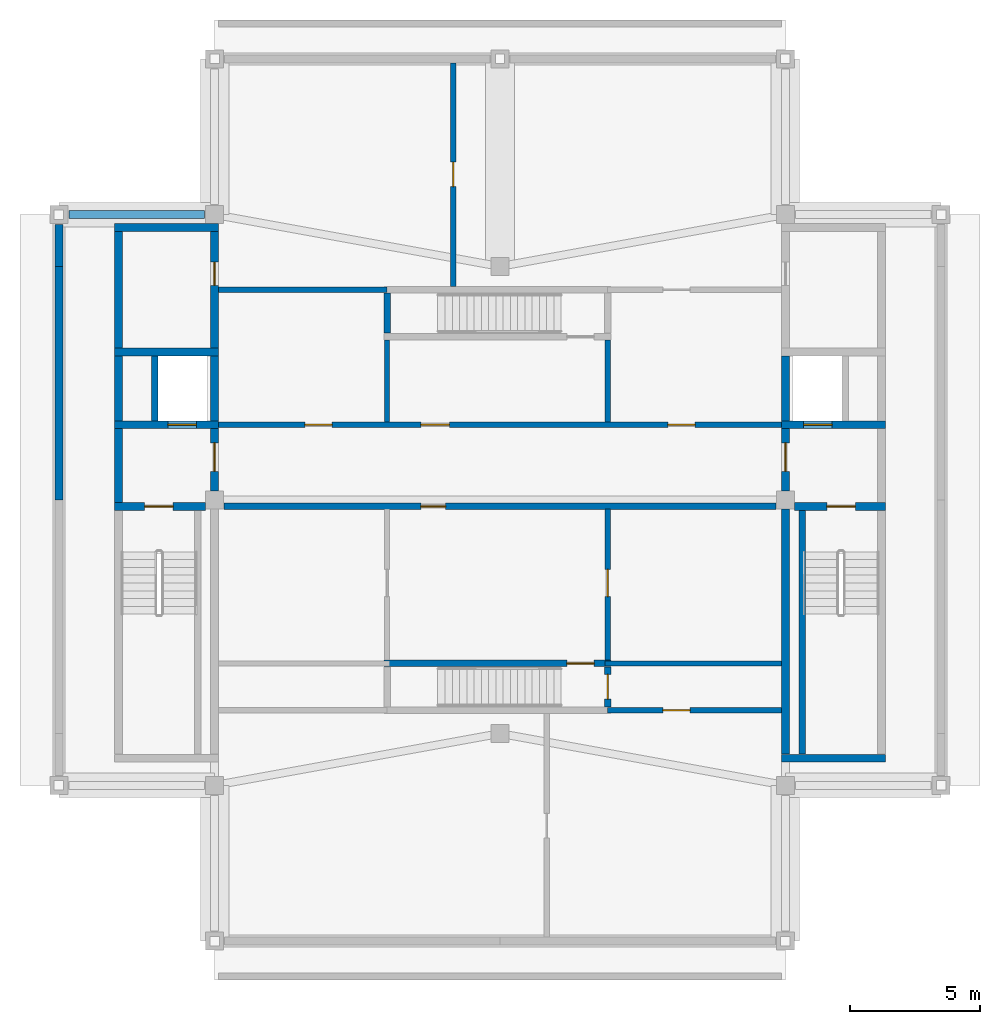
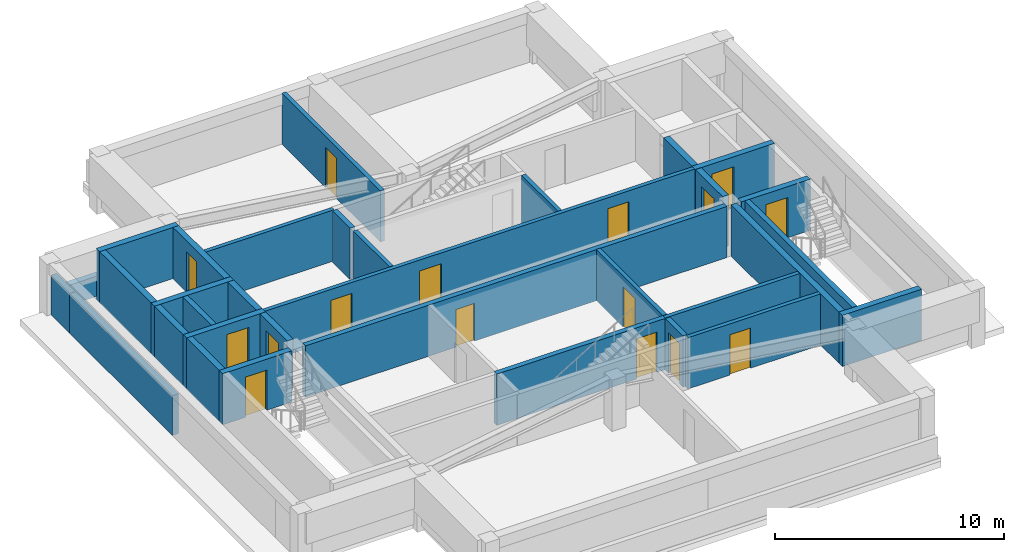
# One storey, part 2 of 4: 33 walls, 16 doors, 16 openings.
"""IFC4 building model written with IfcOpenShell, lengths in metres."""

from ifc_helpers import new_model, si_unit, direction, frame, frame_2d, origin, place, context, subcontext, project, spatial, rectangle, extrude, material, layer, layer_set, type_object, element, fill, save


model = new_model("IFC4")

# Units and contexts
model_context = context("Model", 3, precision=1e-05, world=origin(), true_north=direction((0.0, 1.0)))
body_context = subcontext(model_context, "Body", "Model", "MODEL_VIEW")
ifc_project = project(units=[si_unit("LENGTHUNIT", "METRE"), si_unit("AREAUNIT", "SQUARE_METRE"), si_unit("VOLUMEUNIT", "CUBIC_METRE"), si_unit("PLANEANGLEUNIT", "RADIAN"), si_unit("MASSUNIT", "GRAM", prefix="KILO")], contexts=[model_context])

# Site, building, storey
site_placement = place(None, origin())
site = spatial("IfcSite", under=ifc_project, at=site_placement, CompositionType="ELEMENT")
building_placement = place(site_placement, origin())
building = spatial("IfcBuilding", under=site, at=building_placement, Name="Zulmaris Gate Convention Tower", CompositionType="ELEMENT")
storey_placement = place(building_placement, frame((0.0, 0.0, 287.919921875)))
storey = spatial("IfcBuildingStorey", under=building, at=storey_placement, Name="L77", CompositionType="ELEMENT", Elevation=287.919921875)

# Wall, opening, door
ifc_material_1 = material(Name="Concrete C50/60", Category="concrete")
ifc_layer_1 = layer(ifc_material_1, 0.25, Name="Concrete C50/60")
ifc_layer_set_1 = layer_set([ifc_layer_1], Name="Concrete C50/60")
wall_type_1 = type_object("IfcWallType", Name="CORE-250", PredefinedType="SOLIDWALL", material=ifc_layer_set_1)
wall_1_placement = place(storey_placement, frame((-4.47509765625, -6.300048828125, 0.0), z_axis=(0.0, 0.0, 1.0), x_axis=(1.0, 0.0, 0.0)))
wall_1 = element("IfcWall", 1, at=wall_1_placement, inside=storey, type_object=wall_type_1, Name="WL-L77-004", PredefinedType="SOLIDWALL", context=body_context, shape_type="SweptSolid", body=[
    extrude(rectangle(XDim=8.75, YDim=0.25, at=frame_2d((4.375, 0.0))), origin(), (0.0, 0.0, 1.0), 2.735107421875),
])
opening_1_placement = place(wall_1_placement, frame((7.050048828125, 0.0, 0.0)))
opening_1 = element("IfcOpeningElement", 2, at=opening_1_placement, cuts=wall_1, Name="Opening D-09", PredefinedType="OPENING", context=body_context, shape_type="SweptSolid", body=[
    extrude(rectangle(XDim=1.050048828125, YDim=2.14990234375, at=frame_2d((0.52490234375, 1.074951171875))), frame((0.0, 0.135009765625, 0.0), z_axis=(0.0, -1.0, 0.0), x_axis=(1.0, 0.0, 0.0)), (0.0, 0.0, 1.0), 0.27001953125),
])
ifc_material_2 = material(Name="Fire-Rated Steel", Category="steel")
door_type_1 = type_object("IfcDoorType", Name="DR-1050-FD", OperationType="NOTDEFINED", PredefinedType="DOOR", material=ifc_material_2)
door_1_placement = place(opening_1_placement, origin())
door_1 = element("IfcDoor", 3, at=door_1_placement, inside=storey, type_object=door_type_1, Name="L77 Crown Stair ST-7 Door 09", OperationType="SINGLE_SWING_LEFT", OverallHeight=2.14990234375, OverallWidth=1.050048828125, PredefinedType="DOOR", context=body_context, shape_type="SweptSolid", body=[
    extrude(rectangle(XDim=1.050048828125, YDim=2.14990234375, at=frame_2d((0.52490234375, 1.074951171875))), frame((0.0, 0.02490234375, 0.0), z_axis=(0.0, -1.0, 0.0), x_axis=(1.0, 0.0, 0.0)), (0.0, 0.0, 1.0), 0.050048828125),
])
fill(opening_1, door_1)

wall_2_placement = place(storey_placement, frame((-10.64404296875, -0.25, 0.0), z_axis=(0.0, 0.0, 1.0), x_axis=(1.0, 0.0, 0.0)))
wall_2 = element("IfcWall", 4, at=wall_2_placement, inside=storey, type_object=wall_type_1, Name="WL-L77-019", PredefinedType="SOLIDWALL", context=body_context, shape_type="SweptSolid", body=[
    extrude(rectangle(XDim=21.2880859375, YDim=0.25, at=frame_2d((10.64404296875, 0.0))), origin(), (0.0, 0.0, 1.0), 2.735107421875),
])
opening_2_placement = place(wall_2_placement, frame((7.593994140625, 0.0, 0.0)))
opening_2 = element("IfcOpeningElement", 5, at=opening_2_placement, cuts=wall_2, Name="Opening D-25", PredefinedType="OPENING", context=body_context, shape_type="SweptSolid", body=[
    extrude(rectangle(XDim=0.949951171875, YDim=2.02001953125, at=frame_2d((0.47509765625, 1.010009765625))), frame((0.0, 0.135009765625, 0.0), z_axis=(0.0, -1.0, 0.0), x_axis=(1.0, 0.0, 0.0)), (0.0, 0.0, 1.0), 0.27001953125),
])
door_type_2 = type_object("IfcDoorType", Name="DR-950-LOW-FD", OperationType="NOTDEFINED", PredefinedType="DOOR", material=ifc_material_2)
door_2_placement = place(opening_2_placement, origin())
door_2 = element("IfcDoor", 6, at=door_2_placement, inside=storey, type_object=door_type_2, Name="L77 South Crown Passage Door 11", OperationType="SINGLE_SWING_LEFT", OverallHeight=2.02001953125, OverallWidth=0.949951171875, PredefinedType="DOOR", context=body_context, shape_type="SweptSolid", body=[
    extrude(rectangle(XDim=0.949951171875, YDim=2.02001953125, at=frame_2d((0.47509765625, 1.010009765625))), frame((0.0, 0.02490234375, 0.0), z_axis=(0.0, -1.0, 0.0), x_axis=(1.0, 0.0, 0.0)), (0.0, 0.0, 1.0), 0.050048828125),
])
fill(opening_2, door_2)

# Walls
wall_3_placement = place(storey_placement, frame((-13.300048828125, 3.052001953125, 0.0), z_axis=(0.0, 0.0, 1.0), x_axis=(0.0, 1.0, 0.0)))
element("IfcWall", 7, at=wall_3_placement, inside=storey, type_object=wall_type_1, Name="WL-L77-027", PredefinedType="SOLIDWALL", context=body_context, shape_type="SweptSolid", body=[
    extrude(rectangle(XDim=2.49609375, YDim=0.25, at=frame_2d((1.248046875, 0.0))), origin(), (0.0, 0.0, 1.0), 2.735107421875),
])
wall_4_placement = place(storey_placement, frame((-4.35009765625, 6.427001953125, 0.0), z_axis=(0.0, 0.0, 1.0), x_axis=(0.0, 1.0, 0.0)))
element("IfcWall", 8, at=wall_4_placement, inside=storey, type_object=wall_type_1, Name="WL-L77-034", PredefinedType="SOLIDWALL", context=body_context, shape_type="SweptSolid", body=[
    extrude(rectangle(XDim=1.5458984375, YDim=0.25, at=frame_2d((0.77294921875, 0.0))), origin(), (0.0, 0.0, 1.0), 2.735107421875),
])

# Wall, opening, door
wall_5_placement = place(storey_placement, frame((4.14990234375, -7.972900390625, 0.0), z_axis=(0.0, 0.0, 1.0), x_axis=(0.0, 1.0, 0.0)))
wall_5 = element("IfcWall", 9, at=wall_5_placement, inside=storey, type_object=wall_type_1, Name="WL-L77-035", PredefinedType="SOLIDWALL", context=body_context, shape_type="SweptSolid", body=[
    extrude(rectangle(XDim=1.5458984375, YDim=0.25, at=frame_2d((0.77294921875, 0.0))), origin(), (0.0, 0.0, 1.0), 2.735107421875),
])
opening_3_placement = place(wall_5_placement, frame((0.298095703125, 0.0, 0.0)))
opening_3 = element("IfcOpeningElement", 10, at=opening_3_placement, cuts=wall_5, Name="Opening D-11", PredefinedType="OPENING", context=body_context, shape_type="SweptSolid", body=[
    extrude(rectangle(XDim=0.949951171875, YDim=2.14990234375, at=frame_2d((0.47509765625, 1.074951171875))), frame((0.0, 0.135009765625, 0.0), z_axis=(0.0, -1.0, 0.0), x_axis=(1.0, 0.0, 0.0)), (0.0, 0.0, 1.0), 0.27001953125),
])
ifc_material_3 = material(Name="Fire-Rated Timber", Category="wood")
door_type_3 = type_object("IfcDoorType", Name="DR-950-FD", OperationType="NOTDEFINED", PredefinedType="DOOR", material=ifc_material_3)
door_3_placement = place(opening_3_placement, origin())
door_3 = element("IfcDoor", 11, at=door_3_placement, inside=storey, type_object=door_type_3, Name="L77 South Vestibule Door 20", OperationType="SINGLE_SWING_RIGHT", OverallHeight=2.14990234375, OverallWidth=0.949951171875, PredefinedType="DOOR", context=body_context, shape_type="SweptSolid", body=[
    extrude(rectangle(XDim=0.949951171875, YDim=2.14990234375, at=frame_2d((0.47509765625, 1.074951171875))), frame((0.0, 0.02490234375, 0.0), z_axis=(0.0, -1.0, 0.0), x_axis=(1.0, 0.0, 0.0)), (0.0, 0.0, 1.0), 0.050048828125),
])
fill(opening_3, door_3)

# Walls
wall_6_placement = place(storey_placement, frame((11.64990234375, -9.798095703125, 0.0), z_axis=(0.0, 0.0, 1.0), x_axis=(0.0, 1.0, 0.0)))
element("IfcWall", 12, at=wall_6_placement, inside=storey, type_object=wall_type_1, Name="WL-L77-041", PredefinedType="SOLIDWALL", context=body_context, shape_type="SweptSolid", body=[
    extrude(rectangle(XDim=9.39599609375, YDim=0.25, at=frame_2d((4.697998046875, 0.0))), origin(), (0.0, 0.0, 1.0), 2.735107421875),
])
ifc_layer_2 = layer(ifc_material_1, 0.300048828125, Name="Concrete C50/60")
ifc_layer_set_2 = layer_set([ifc_layer_2], Name="Concrete C50/60")
wall_type_2 = type_object("IfcWallType", Name="CORE-300", PredefinedType="SHEAR", material=ifc_layer_set_2)
wall_7_placement = place(storey_placement, frame((10.85009765625, -9.949951171875, 0.0), z_axis=(0.0, 0.0, 1.0), x_axis=(1.0, 0.0, 0.0)))
element("IfcWall", 13, at=wall_7_placement, inside=storey, type_object=wall_type_2, Name="WL-L77-002", PredefinedType="SHEAR", context=body_context, shape_type="SweptSolid", body=[
    extrude(rectangle(XDim=4.0, YDim=0.300048828125, at=frame_2d((2.0, 0.0))), origin(), (0.0, 0.0, 1.0), 2.735107421875),
])

# Wall, opening, door
wall_8_placement = place(storey_placement, frame((-14.85009765625, -0.25, 0.0), z_axis=(0.0, 0.0, 1.0), x_axis=(1.0, 0.0, 0.0)))
wall_8 = element("IfcWall", 14, at=wall_8_placement, inside=storey, type_object=wall_type_2, Name="WL-L77-005", PredefinedType="SHEAR", context=body_context, shape_type="SweptSolid", body=[
    extrude(rectangle(XDim=3.49609375, YDim=0.300048828125, at=frame_2d((1.748046875, 0.0))), origin(), (0.0, 0.0, 1.0), 2.735107421875),
])
opening_4_placement = place(wall_8_placement, frame((1.14990234375, 0.0, 0.0)))
opening_4 = element("IfcOpeningElement", 15, at=opening_4_placement, cuts=wall_8, Name="Opening D-08", PredefinedType="OPENING", context=body_context, shape_type="SweptSolid", body=[
    extrude(rectangle(XDim=1.10009765625, YDim=2.14990234375, at=frame_2d((0.550048828125, 1.074951171875))), frame((0.0, 0.16015625, 0.0), z_axis=(0.0, -1.0, 0.0), x_axis=(1.0, 0.0, 0.0)), (0.0, 0.0, 1.0), 0.320068359375),
])
door_type_4 = type_object("IfcDoorType", Name="DR-1100-FD", OperationType="NOTDEFINED", PredefinedType="DOOR", material=ifc_material_2)
door_4_placement = place(opening_4_placement, origin())
door_4 = element("IfcDoor", 16, at=door_4_placement, inside=storey, type_object=door_type_4, Name="L77 Exit Stair ST-1 Door 01", OperationType="SINGLE_SWING_LEFT", OverallHeight=2.14990234375, OverallWidth=1.10009765625, PredefinedType="DOOR", context=body_context, shape_type="SweptSolid", body=[
    extrude(rectangle(XDim=1.10009765625, YDim=2.14990234375, at=frame_2d((0.550048828125, 1.074951171875))), frame((0.0, 0.02490234375, 0.0), z_axis=(0.0, -1.0, 0.0), x_axis=(1.0, 0.0, 0.0)), (0.0, 0.0, 1.0), 0.050048828125),
])
fill(opening_4, door_4)

wall_9_placement = place(storey_placement, frame((11.35400390625, -0.25, 0.0), z_axis=(0.0, 0.0, 1.0), x_axis=(1.0, 0.0, 0.0)))
wall_9 = element("IfcWall", 17, at=wall_9_placement, inside=storey, type_object=wall_type_2, Name="WL-L77-006", PredefinedType="SHEAR", context=body_context, shape_type="SweptSolid", body=[
    extrude(rectangle(XDim=3.49609375, YDim=0.300048828125, at=frame_2d((1.748046875, 0.0))), origin(), (0.0, 0.0, 1.0), 2.735107421875),
])
opening_5_placement = place(wall_9_placement, frame((1.24609375, 0.0, 0.0)))
opening_5 = element("IfcOpeningElement", 18, at=opening_5_placement, cuts=wall_9, Name="Opening D-08", PredefinedType="OPENING", context=body_context, shape_type="SweptSolid", body=[
    extrude(rectangle(XDim=1.10009765625, YDim=2.14990234375, at=frame_2d((0.550048828125, 1.074951171875))), frame((0.0, 0.16015625, 0.0), z_axis=(0.0, -1.0, 0.0), x_axis=(1.0, 0.0, 0.0)), (0.0, 0.0, 1.0), 0.320068359375),
])
door_5_placement = place(opening_5_placement, origin())
door_5 = element("IfcDoor", 19, at=door_5_placement, inside=storey, type_object=door_type_4, Name="L77 Exit Stair ST-2 Door 04", OperationType="SINGLE_SWING_LEFT", OverallHeight=2.14990234375, OverallWidth=1.10009765625, PredefinedType="DOOR", context=body_context, shape_type="SweptSolid", body=[
    extrude(rectangle(XDim=1.10009765625, YDim=2.14990234375, at=frame_2d((0.550048828125, 1.074951171875))), frame((0.0, 0.02490234375, 0.0), z_axis=(0.0, -1.0, 0.0), x_axis=(1.0, 0.0, 0.0)), (0.0, 0.0, 1.0), 0.050048828125),
])
fill(opening_5, door_5)

wall_10_placement = place(storey_placement, frame((-14.85009765625, 2.89990234375, 0.0), z_axis=(0.0, 0.0, 1.0), x_axis=(1.0, 0.0, 0.0)))
wall_10 = element("IfcWall", 20, at=wall_10_placement, inside=storey, type_object=wall_type_2, Name="WL-L77-007", PredefinedType="SHEAR", context=body_context, shape_type="SweptSolid", body=[
    extrude(rectangle(XDim=4.0, YDim=0.300048828125, at=frame_2d((2.0, 0.0))), origin(), (0.0, 0.0, 1.0), 2.735107421875),
])
opening_6_placement = place(wall_10_placement, frame((2.050048828125, 0.0, 0.0)))
opening_6 = element("IfcOpeningElement", 21, at=opening_6_placement, cuts=wall_10, Name="Opening D-06", PredefinedType="OPENING", context=body_context, shape_type="SweptSolid", body=[
    extrude(rectangle(XDim=1.10009765625, YDim=2.199951171875, at=frame_2d((0.550048828125, 1.10009765625))), frame((0.0, 0.16015625, 0.0), z_axis=(0.0, -1.0, 0.0), x_axis=(1.0, 0.0, 0.0)), (0.0, 0.0, 1.0), 0.320068359375),
])
ifc_material_4 = material(Name="Brushed Stainless Steel", Category="steel")
door_type_5 = type_object("IfcDoorType", Name="LD-1100", OperationType="NOTDEFINED", PredefinedType="DOOR", material=ifc_material_4)
door_6_placement = place(opening_6_placement, origin())
door_6 = element("IfcDoor", 22, at=door_6_placement, inside=storey, type_object=door_type_5, Name="L77 Lift Landing Door LF-01 03", OperationType="SLIDING_TO_LEFT", OverallHeight=2.199951171875, OverallWidth=1.10009765625, PredefinedType="DOOR", context=body_context, shape_type="SweptSolid", body=[
    extrude(rectangle(XDim=1.10009765625, YDim=2.199951171875, at=frame_2d((0.550048828125, 1.10009765625))), frame((0.0, 0.02490234375, 0.0), z_axis=(0.0, -1.0, 0.0), x_axis=(1.0, 0.0, 0.0)), (0.0, 0.0, 1.0), 0.050048828125),
])
fill(opening_6, door_6)

wall_11_placement = place(storey_placement, frame((10.85009765625, 2.89990234375, 0.0), z_axis=(0.0, 0.0, 1.0), x_axis=(1.0, 0.0, 0.0)))
wall_11 = element("IfcWall", 23, at=wall_11_placement, inside=storey, type_object=wall_type_2, Name="WL-L77-008", PredefinedType="SHEAR", context=body_context, shape_type="SweptSolid", body=[
    extrude(rectangle(XDim=4.0, YDim=0.300048828125, at=frame_2d((2.0, 0.0))), origin(), (0.0, 0.0, 1.0), 2.735107421875),
])
opening_7_placement = place(wall_11_placement, frame((0.85009765625, 0.0, 0.0)))
opening_7 = element("IfcOpeningElement", 24, at=opening_7_placement, cuts=wall_11, Name="Opening D-06", PredefinedType="OPENING", context=body_context, shape_type="SweptSolid", body=[
    extrude(rectangle(XDim=1.10009765625, YDim=2.199951171875, at=frame_2d((0.550048828125, 1.10009765625))), frame((0.0, 0.16015625, 0.0), z_axis=(0.0, -1.0, 0.0), x_axis=(1.0, 0.0, 0.0)), (0.0, 0.0, 1.0), 0.320068359375),
])
door_7_placement = place(opening_7_placement, origin())
door_7 = element("IfcDoor", 25, at=door_7_placement, inside=storey, type_object=door_type_5, Name="L77 Lift Landing Door LF-02 06", OperationType="SLIDING_TO_RIGHT", OverallHeight=2.199951171875, OverallWidth=1.10009765625, PredefinedType="DOOR", context=body_context, shape_type="SweptSolid", body=[
    extrude(rectangle(XDim=1.10009765625, YDim=2.199951171875, at=frame_2d((0.550048828125, 1.10009765625))), frame((0.0, 0.02490234375, 0.0), z_axis=(0.0, -1.0, 0.0), x_axis=(1.0, 0.0, 0.0)), (0.0, 0.0, 1.0), 0.050048828125),
])
fill(opening_7, door_7)

# Walls
for number, where, z_axis, x_axis, name in (
    (26, (-14.85009765625, 5.699951171875, 0.0), (0.0, 0.0, 1.0), (1.0, 0.0, 0.0), "WL-L77-009"),
    (27, (-14.85009765625, 10.5, 0.0), (0.0, 0.0, 1.0), (1.0, 0.0, 0.0), "WL-L77-013"),
):
    element("IfcWall", number, at=place(storey_placement, frame(where, z_axis=z_axis, x_axis=x_axis)), inside=storey, type_object=wall_type_2, Name=name, PredefinedType="SHEAR", context=body_context, shape_type="SweptSolid", body=[
        extrude(rectangle(XDim=4.0, YDim=0.300048828125, at=frame_2d((2.0, 0.0))), origin(), (0.0, 0.0, 1.0), 2.735107421875),
    ])
wall_12_placement = place(storey_placement, frame((-14.699951171875, -0.097900390625, 0.0), z_axis=(0.0, 0.0, 1.0), x_axis=(0.0, 1.0, 0.0)))
element("IfcWall", 28, at=wall_12_placement, inside=storey, type_object=wall_type_2, Name="WL-L77-024", PredefinedType="SHEAR", context=body_context, shape_type="SweptSolid", body=[
    extrude(rectangle(XDim=2.845947265625, YDim=0.300048828125, at=frame_2d((1.4228515625, 0.0))), origin(), (0.0, 0.0, 1.0), 2.735107421875),
])
wall_13_placement = place(storey_placement, frame((-14.699951171875, 3.052001953125, 0.0), z_axis=(0.0, 0.0, 1.0), x_axis=(0.0, 1.0, 0.0)))
element("IfcWall", 29, at=wall_13_placement, inside=storey, type_object=wall_type_2, Name="WL-L77-025", PredefinedType="SHEAR", context=body_context, shape_type="SweptSolid", body=[
    extrude(rectangle(XDim=2.49609375, YDim=0.300048828125, at=frame_2d((1.248046875, 0.0))), origin(), (0.0, 0.0, 1.0), 2.735107421875),
])
wall_14_placement = place(storey_placement, frame((-14.699951171875, 5.85205078125, 0.0), z_axis=(0.0, 0.0, 1.0), x_axis=(0.0, 1.0, 0.0)))
element("IfcWall", 30, at=wall_14_placement, inside=storey, type_object=wall_type_2, Name="WL-L77-026", PredefinedType="SHEAR", context=body_context, shape_type="SweptSolid", body=[
    extrude(rectangle(XDim=4.495849609375, YDim=0.300048828125, at=frame_2d((2.248046875, 0.0))), origin(), (0.0, 0.0, 1.0), 2.735107421875),
])

# Wall, opening, door
wall_15_placement = place(storey_placement, frame((-11.0, 0.35400390625, 0.0), z_axis=(0.0, 0.0, 1.0), x_axis=(0.0, 1.0, 0.0)))
wall_15 = element("IfcWall", 31, at=wall_15_placement, inside=storey, type_object=wall_type_2, Name="WL-L77-030", PredefinedType="SHEAR", context=body_context, shape_type="SweptSolid", body=[
    extrude(rectangle(XDim=2.39404296875, YDim=0.300048828125, at=frame_2d((1.197021484375, 0.0))), origin(), (0.0, 0.0, 1.0), 2.735107421875),
])
opening_8_placement = place(wall_15_placement, frame((0.74609375, 0.0, 0.0)))
opening_8 = element("IfcOpeningElement", 32, at=opening_8_placement, cuts=wall_15, Name="Opening D-08", PredefinedType="OPENING", context=body_context, shape_type="SweptSolid", body=[
    extrude(rectangle(XDim=1.10009765625, YDim=2.14990234375, at=frame_2d((0.550048828125, 1.074951171875))), frame((0.0, 0.16015625, 0.0), z_axis=(0.0, -1.0, 0.0), x_axis=(1.0, 0.0, 0.0)), (0.0, 0.0, 1.0), 0.320068359375),
])
door_8_placement = place(opening_8_placement, origin())
door_8 = element("IfcDoor", 33, at=door_8_placement, inside=storey, type_object=door_type_4, Name="L77 West Firefighting Lobby Door 02", OperationType="SINGLE_SWING_RIGHT", OverallHeight=2.14990234375, OverallWidth=1.10009765625, PredefinedType="DOOR", context=body_context, shape_type="SweptSolid", body=[
    extrude(rectangle(XDim=1.10009765625, YDim=2.14990234375, at=frame_2d((0.550048828125, 1.074951171875))), frame((0.0, 0.02490234375, 0.0), z_axis=(0.0, -1.0, 0.0), x_axis=(1.0, 0.0, 0.0)), (0.0, 0.0, 1.0), 0.050048828125),
])
fill(opening_8, door_8)

# Wall
wall_16_placement = place(storey_placement, frame((-11.0, 3.052001953125, 0.0), z_axis=(0.0, 0.0, 1.0), x_axis=(0.0, 1.0, 0.0)))
element("IfcWall", 34, at=wall_16_placement, inside=storey, type_object=wall_type_2, Name="WL-L77-031", PredefinedType="SHEAR", context=body_context, shape_type="SweptSolid", body=[
    extrude(rectangle(XDim=2.49609375, YDim=0.300048828125, at=frame_2d((1.248046875, 0.0))), origin(), (0.0, 0.0, 1.0), 2.735107421875),
])

# Wall, opening, door
wall_17_placement = place(storey_placement, frame((-11.0, 5.85205078125, 0.0), z_axis=(0.0, 0.0, 1.0), x_axis=(0.0, 1.0, 0.0)))
wall_17 = element("IfcWall", 35, at=wall_17_placement, inside=storey, type_object=wall_type_2, Name="WL-L77-032", PredefinedType="SHEAR", context=body_context, shape_type="SweptSolid", body=[
    extrude(rectangle(XDim=4.7939453125, YDim=0.300048828125, at=frame_2d((2.39697265625, 0.0))), origin(), (0.0, 0.0, 1.0), 2.735107421875),
])
opening_9_placement = place(wall_17_placement, frame((2.41796875, 0.0, 0.0)))
opening_9 = element("IfcOpeningElement", 36, at=opening_9_placement, cuts=wall_17, Name="Opening D-12", PredefinedType="OPENING", context=body_context, shape_type="SweptSolid", body=[
    extrude(rectangle(XDim=0.89990234375, YDim=2.14990234375, at=frame_2d((0.449951171875, 1.074951171875))), frame((0.0, 0.16015625, 0.0), z_axis=(0.0, -1.0, 0.0), x_axis=(1.0, 0.0, 0.0)), (0.0, 0.0, 1.0), 0.320068359375),
])
door_type_6 = type_object("IfcDoorType", Name="DR-900-FD", OperationType="NOTDEFINED", PredefinedType="DOOR", material=ifc_material_3)
door_9_placement = place(opening_9_placement, origin())
door_9 = element("IfcDoor", 37, at=door_9_placement, inside=storey, type_object=door_type_6, Name="L77 Crown Electrical Door 07", OperationType="SINGLE_SWING_LEFT", OverallHeight=2.14990234375, OverallWidth=0.89990234375, PredefinedType="DOOR", context=body_context, shape_type="SweptSolid", body=[
    extrude(rectangle(XDim=0.89990234375, YDim=2.14990234375, at=frame_2d((0.449951171875, 1.074951171875))), frame((0.0, 0.02490234375, 0.0), z_axis=(0.0, -1.0, 0.0), x_axis=(1.0, 0.0, 0.0)), (0.0, 0.0, 1.0), 0.050048828125),
])
fill(opening_9, door_9)

# Wall
wall_18_placement = place(storey_placement, frame((11.0, -9.798095703125, 0.0), z_axis=(0.0, 0.0, 1.0), x_axis=(0.0, 1.0, 0.0)))
element("IfcWall", 38, at=wall_18_placement, inside=storey, type_object=wall_type_2, Name="WL-L77-037", PredefinedType="SHEAR", context=body_context, shape_type="SweptSolid", body=[
    extrude(rectangle(XDim=9.444091796875, YDim=0.300048828125, at=frame_2d((4.72216796875, 0.0))), origin(), (0.0, 0.0, 1.0), 2.735107421875),
])

# Wall, opening, door
wall_19_placement = place(storey_placement, frame((11.0, 0.35400390625, 0.0), z_axis=(0.0, 0.0, 1.0), x_axis=(0.0, 1.0, 0.0)))
wall_19 = element("IfcWall", 39, at=wall_19_placement, inside=storey, type_object=wall_type_2, Name="WL-L77-038", PredefinedType="SHEAR", context=body_context, shape_type="SweptSolid", body=[
    extrude(rectangle(XDim=2.39404296875, YDim=0.300048828125, at=frame_2d((1.197021484375, 0.0))), origin(), (0.0, 0.0, 1.0), 2.735107421875),
])
opening_10_placement = place(wall_19_placement, frame((0.74609375, 0.0, 0.0)))
opening_10 = element("IfcOpeningElement", 40, at=opening_10_placement, cuts=wall_19, Name="Opening D-08", PredefinedType="OPENING", context=body_context, shape_type="SweptSolid", body=[
    extrude(rectangle(XDim=1.10009765625, YDim=2.14990234375, at=frame_2d((0.550048828125, 1.074951171875))), frame((0.0, 0.16015625, 0.0), z_axis=(0.0, -1.0, 0.0), x_axis=(1.0, 0.0, 0.0)), (0.0, 0.0, 1.0), 0.320068359375),
])
door_10_placement = place(opening_10_placement, origin())
door_10 = element("IfcDoor", 41, at=door_10_placement, inside=storey, type_object=door_type_4, Name="L77 East Firefighting Lobby Door 05", OperationType="SINGLE_SWING_RIGHT", OverallHeight=2.14990234375, OverallWidth=1.10009765625, PredefinedType="DOOR", context=body_context, shape_type="SweptSolid", body=[
    extrude(rectangle(XDim=1.10009765625, YDim=2.14990234375, at=frame_2d((0.550048828125, 1.074951171875))), frame((0.0, 0.02490234375, 0.0), z_axis=(0.0, -1.0, 0.0), x_axis=(1.0, 0.0, 0.0)), (0.0, 0.0, 1.0), 0.050048828125),
])
fill(opening_10, door_10)

# Wall
wall_20_placement = place(storey_placement, frame((11.0, 3.052001953125, 0.0), z_axis=(0.0, 0.0, 1.0), x_axis=(0.0, 1.0, 0.0)))
element("IfcWall", 42, at=wall_20_placement, inside=storey, type_object=wall_type_2, Name="WL-L77-039", PredefinedType="SHEAR", context=body_context, shape_type="SweptSolid", body=[
    extrude(rectangle(XDim=2.49609375, YDim=0.300048828125, at=frame_2d((1.248046875, 0.0))), origin(), (0.0, 0.0, 1.0), 2.735107421875),
])

# Wall, opening, door
ifc_material_5 = material(Name="Autoclaved Aerated Concrete Block and Plasterboard", Category="concrete")
ifc_layer_3 = layer(ifc_material_5, 0.199951171875, Name="Autoclaved Aerated Concrete Block and Plasterboard")
ifc_layer_set_3 = layer_set([ifc_layer_3], Name="Autoclaved Aerated Concrete Block and Plasterboard")
wall_type_3 = type_object("IfcWallType", Name="PART-200", PredefinedType="PARTITIONING", material=ifc_layer_set_3)
wall_21_placement = place(storey_placement, frame((4.14990234375, -8.10009765625, 0.0), z_axis=(0.0, 0.0, 1.0), x_axis=(1.0, 0.0, 0.0)))
wall_21 = element("IfcWall", 43, at=wall_21_placement, inside=storey, type_object=wall_type_3, Name="WL-L77-016", PredefinedType="PARTITIONING", context=body_context, shape_type="SweptSolid", body=[
    extrude(rectangle(XDim=6.697021484375, YDim=0.199951171875, at=frame_2d((3.3486328125, 0.0))), origin(), (0.0, 0.0, 1.0), 2.735107421875),
])
opening_11_placement = place(wall_21_placement, frame((2.125, 0.0, 0.0)))
opening_11 = element("IfcOpeningElement", 44, at=opening_11_placement, cuts=wall_21, Name="Opening D-09", PredefinedType="OPENING", context=body_context, shape_type="SweptSolid", body=[
    extrude(rectangle(XDim=1.050048828125, YDim=2.14990234375, at=frame_2d((0.52490234375, 1.074951171875))), frame((0.0, 0.10986328125, 0.0), z_axis=(0.0, -1.0, 0.0), x_axis=(1.0, 0.0, 0.0)), (0.0, 0.0, 1.0), 0.219970703125),
])
door_11_placement = place(opening_11_placement, origin())
door_11 = element("IfcDoor", 45, at=door_11_placement, inside=storey, type_object=door_type_1, Name="L77 Cooling Plant Door 21", OperationType="SINGLE_SWING_LEFT", OverallHeight=2.14990234375, OverallWidth=1.050048828125, PredefinedType="DOOR", context=body_context, shape_type="SweptSolid", body=[
    extrude(rectangle(XDim=1.050048828125, YDim=2.14990234375, at=frame_2d((0.52490234375, 1.074951171875))), frame((0.0, 0.02490234375, 0.0), z_axis=(0.0, -1.0, 0.0), x_axis=(1.0, 0.0, 0.0)), (0.0, 0.0, 1.0), 0.050048828125),
])
fill(opening_11, door_11)

# Wall
wall_22_placement = place(storey_placement, frame((4.050048828125, -6.300048828125, 0.0), z_axis=(0.0, 0.0, 1.0), x_axis=(1.0, 0.0, 0.0)))
element("IfcWall", 46, at=wall_22_placement, inside=storey, type_object=wall_type_3, Name="WL-L77-018", PredefinedType="PARTITIONING", context=body_context, shape_type="SweptSolid", body=[
    extrude(rectangle(XDim=6.796875, YDim=0.199951171875, at=frame_2d((3.3984375, 0.0))), origin(), (0.0, 0.0, 1.0), 2.735107421875),
])

# Wall, openings, doors
wall_23_placement = place(storey_placement, frame((-11.0, 2.89990234375, 0.0), z_axis=(0.0, 0.0, 1.0), x_axis=(1.0, 0.0, 0.0)))
wall_23 = element("IfcWall", 47, at=wall_23_placement, inside=storey, type_object=wall_type_3, Name="WL-L77-020", PredefinedType="PARTITIONING", context=body_context, shape_type="SweptSolid", body=[
    extrude(rectangle(XDim=22.0, YDim=0.199951171875, at=frame_2d((11.0, 0.0))), origin(), (0.0, 0.0, 1.0), 2.735107421875),
])
opening_12_placement = place(wall_23_placement, frame((7.949951171875, 0.0, 0.0)))
opening_12 = element("IfcOpeningElement", 48, at=opening_12_placement, cuts=wall_23, Name="Opening D-08", PredefinedType="OPENING", context=body_context, shape_type="SweptSolid", body=[
    extrude(rectangle(XDim=1.10009765625, YDim=2.14990234375, at=frame_2d((0.550048828125, 1.074951171875))), frame((0.0, 0.10986328125, 0.0), z_axis=(0.0, -1.0, 0.0), x_axis=(1.0, 0.0, 0.0)), (0.0, 0.0, 1.0), 0.219970703125),
])
opening_13_placement = place(wall_23_placement, frame((17.47509765625, 0.0, 0.0)))
opening_13 = element("IfcOpeningElement", 49, at=opening_13_placement, cuts=wall_23, Name="Opening D-09", PredefinedType="OPENING", context=body_context, shape_type="SweptSolid", body=[
    extrude(rectangle(XDim=1.050048828125, YDim=2.14990234375, at=frame_2d((0.52490234375, 1.074951171875))), frame((0.0, 0.10986328125, 0.0), z_axis=(0.0, -1.0, 0.0), x_axis=(1.0, 0.0, 0.0)), (0.0, 0.0, 1.0), 0.219970703125),
])
opening_14_placement = place(wall_23_placement, frame((3.47509765625, 0.0, 0.0)))
opening_14 = element("IfcOpeningElement", 50, at=opening_14_placement, cuts=wall_23, Name="Opening D-09", PredefinedType="OPENING", context=body_context, shape_type="SweptSolid", body=[
    extrude(rectangle(XDim=1.050048828125, YDim=2.14990234375, at=frame_2d((0.52490234375, 1.074951171875))), frame((0.0, 0.10986328125, 0.0), z_axis=(0.0, -1.0, 0.0), x_axis=(1.0, 0.0, 0.0)), (0.0, 0.0, 1.0), 0.219970703125),
])
door_12_placement = place(opening_13_placement, origin())
door_12 = element("IfcDoor", 51, at=door_12_placement, inside=storey, type_object=door_type_1, Name="L77 East Crown Plant Door 15", OperationType="SINGLE_SWING_LEFT", OverallHeight=2.14990234375, OverallWidth=1.050048828125, PredefinedType="DOOR", context=body_context, shape_type="SweptSolid", body=[
    extrude(rectangle(XDim=1.050048828125, YDim=2.14990234375, at=frame_2d((0.52490234375, 1.074951171875))), frame((0.0, 0.02490234375, 0.0), z_axis=(0.0, -1.0, 0.0), x_axis=(1.0, 0.0, 0.0)), (0.0, 0.0, 1.0), 0.050048828125),
])
fill(opening_13, door_12)
door_13_placement = place(opening_14_placement, origin())
door_13 = element("IfcDoor", 52, at=door_13_placement, inside=storey, type_object=door_type_1, Name="L77 BMS Telemetry Door 19", OperationType="SINGLE_SWING_LEFT", OverallHeight=2.14990234375, OverallWidth=1.050048828125, PredefinedType="DOOR", context=body_context, shape_type="SweptSolid", body=[
    extrude(rectangle(XDim=1.050048828125, YDim=2.14990234375, at=frame_2d((0.52490234375, 1.074951171875))), frame((0.0, 0.02490234375, 0.0), z_axis=(0.0, -1.0, 0.0), x_axis=(1.0, 0.0, 0.0)), (0.0, 0.0, 1.0), 0.050048828125),
])
fill(opening_14, door_13)
door_14_placement = place(opening_12_placement, origin())
door_14 = element("IfcDoor", 53, at=door_14_placement, inside=storey, type_object=door_type_4, Name="L77 North Crown Passage Door 12", OperationType="SINGLE_SWING_RIGHT", OverallHeight=2.14990234375, OverallWidth=1.10009765625, PredefinedType="DOOR", context=body_context, shape_type="SweptSolid", body=[
    extrude(rectangle(XDim=1.10009765625, YDim=2.14990234375, at=frame_2d((0.550048828125, 1.074951171875))), frame((0.0, 0.02490234375, 0.0), z_axis=(0.0, -1.0, 0.0), x_axis=(1.0, 0.0, 0.0)), (0.0, 0.0, 1.0), 0.050048828125),
])
fill(opening_12, door_14)

# Walls
wall_24_placement = place(storey_placement, frame((-10.846923828125, 8.10009765625, 0.0), z_axis=(0.0, 0.0, 1.0), x_axis=(1.0, 0.0, 0.0)))
element("IfcWall", 54, at=wall_24_placement, inside=storey, type_object=wall_type_3, Name="WL-L77-021", PredefinedType="PARTITIONING", context=body_context, shape_type="SweptSolid", body=[
    extrude(rectangle(XDim=6.496826171875, YDim=0.199951171875, at=frame_2d((3.24853515625, 0.0))), origin(), (0.0, 0.0, 1.0), 2.735107421875),
])
wall_25_placement = place(storey_placement, frame((-4.35009765625, 3.0029296875, 0.0), z_axis=(0.0, 0.0, 1.0), x_axis=(0.0, 1.0, 0.0)))
element("IfcWall", 55, at=wall_25_placement, inside=storey, type_object=wall_type_3, Name="WL-L77-048", PredefinedType="PARTITIONING", context=body_context, shape_type="SweptSolid", body=[
    extrude(rectangle(XDim=3.169189453125, YDim=0.199951171875, at=frame_2d((1.58447265625, 0.0))), origin(), (0.0, 0.0, 1.0), 2.735107421875),
])

# Wall, opening, door
wall_26_placement = place(storey_placement, frame((-1.800048828125, 8.22802734375, 0.0), z_axis=(0.0, 0.0, 1.0), x_axis=(0.0, 1.0, 0.0)))
wall_26 = element("IfcWall", 56, at=wall_26_placement, inside=storey, type_object=wall_type_3, Name="WL-L77-049", PredefinedType="PARTITIONING", context=body_context, shape_type="SweptSolid", body=[
    extrude(rectangle(XDim=8.60693359375, YDim=0.199951171875, at=frame_2d((4.303466796875, 0.0))), origin(), (0.0, 0.0, 1.0), 2.735107421875),
])
opening_15_placement = place(wall_26_placement, frame((3.846923828125, 0.0, 0.0)))
opening_15 = element("IfcOpeningElement", 57, at=opening_15_placement, cuts=wall_26, Name="Opening D-11", PredefinedType="OPENING", context=body_context, shape_type="SweptSolid", body=[
    extrude(rectangle(XDim=0.949951171875, YDim=2.14990234375, at=frame_2d((0.47509765625, 1.074951171875))), frame((0.0, 0.10986328125, 0.0), z_axis=(0.0, -1.0, 0.0), x_axis=(1.0, 0.0, 0.0)), (0.0, 0.0, 1.0), 0.219970703125),
])
door_15_placement = place(opening_15_placement, origin())
door_15 = element("IfcDoor", 58, at=door_15_placement, inside=storey, type_object=door_type_3, Name="L77 West Water Tank Door 17", OperationType="SINGLE_SWING_LEFT", OverallHeight=2.14990234375, OverallWidth=0.949951171875, PredefinedType="DOOR", context=body_context, shape_type="SweptSolid", body=[
    extrude(rectangle(XDim=0.949951171875, YDim=2.14990234375, at=frame_2d((0.47509765625, 1.074951171875))), frame((0.0, 0.02490234375, 0.0), z_axis=(0.0, -1.0, 0.0), x_axis=(1.0, 0.0, 0.0)), (0.0, 0.0, 1.0), 0.050048828125),
])
fill(opening_15, door_15)

wall_27_placement = place(storey_placement, frame((4.14990234375, -6.172119140625, 0.0), z_axis=(0.0, 0.0, 1.0), x_axis=(0.0, 1.0, 0.0)))
wall_27 = element("IfcWall", 59, at=wall_27_placement, inside=storey, type_object=wall_type_3, Name="WL-L77-051", PredefinedType="PARTITIONING", context=body_context, shape_type="SweptSolid", body=[
    extrude(rectangle(XDim=5.819091796875, YDim=0.199951171875, at=frame_2d((2.90966796875, 0.0))), origin(), (0.0, 0.0, 1.0), 2.735107421875),
])
opening_16_placement = place(wall_27_placement, frame((2.447021484375, 0.0, 0.0)))
opening_16 = element("IfcOpeningElement", 60, at=opening_16_placement, cuts=wall_27, Name="Opening D-09", PredefinedType="OPENING", context=body_context, shape_type="SweptSolid", body=[
    extrude(rectangle(XDim=1.050048828125, YDim=2.14990234375, at=frame_2d((0.52490234375, 1.074951171875))), frame((0.0, 0.10986328125, 0.0), z_axis=(0.0, -1.0, 0.0), x_axis=(1.0, 0.0, 0.0)), (0.0, 0.0, 1.0), 0.219970703125),
])
door_16_placement = place(opening_16_placement, origin())
door_16 = element("IfcDoor", 61, at=door_16_placement, inside=storey, type_object=door_type_1, Name="L77 Crown AHU Door 14", OperationType="SINGLE_SWING_RIGHT", OverallHeight=2.14990234375, OverallWidth=1.050048828125, PredefinedType="DOOR", context=body_context, shape_type="SweptSolid", body=[
    extrude(rectangle(XDim=1.050048828125, YDim=2.14990234375, at=frame_2d((0.52490234375, 1.074951171875))), frame((0.0, 0.02490234375, 0.0), z_axis=(0.0, -1.0, 0.0), x_axis=(1.0, 0.0, 0.0)), (0.0, 0.0, 1.0), 0.050048828125),
])
fill(opening_16, door_16)

# Walls
wall_28_placement = place(storey_placement, frame((4.14990234375, 3.0029296875, 0.0), z_axis=(0.0, 0.0, 1.0), x_axis=(0.0, 1.0, 0.0)))
element("IfcWall", 62, at=wall_28_placement, inside=storey, type_object=wall_type_3, Name="WL-L77-052", PredefinedType="PARTITIONING", context=body_context, shape_type="SweptSolid", body=[
    extrude(rectangle(XDim=3.169189453125, YDim=0.199951171875, at=frame_2d((1.58447265625, 0.0))), origin(), (0.0, 0.0, 1.0), 2.735107421875),
])
ifc_material_6 = material(Name="Precast concrete C40/50", Category="concrete")
ifc_layer_4 = layer(ifc_material_6, 0.300048828125, Name="Precast concrete C40/50")
ifc_layer_set_4 = layer_set([ifc_layer_4], Name="Precast concrete C40/50")
wall_type_4 = type_object("IfcWallType", Name="PRECAST-CROWN-300", PredefinedType="STANDARD", material=ifc_layer_set_4)
wall_29_placement = place(storey_placement, frame((-17.0, 9.0, 0.0), z_axis=(0.0, 0.0, 1.0), x_axis=(0.0, -1.0, 0.0)))
element("IfcWall", 63, at=wall_29_placement, inside=storey, type_object=wall_type_4, Name="EW-L77-CR-W2_0", PredefinedType="STANDARD", context=body_context, shape_type="SweptSolid", body=[
    extrude(rectangle(XDim=9.0, YDim=0.300048828125, at=frame_2d((4.5, 0.0))), origin(), (0.0, 0.0, 1.0), 2.127197265625),
])
wall_30_placement = place(storey_placement, frame((-17.0, 10.6201171875, 0.0), z_axis=(0.0, 0.0, 1.0), x_axis=(0.0, -1.0, 0.0)))
element("IfcWall", 64, at=wall_30_placement, inside=storey, type_object=wall_type_4, Name="EW-L77-CR-W3_0", PredefinedType="STANDARD", context=body_context, shape_type="SweptSolid", body=[
    extrude(rectangle(XDim=1.6201171875, YDim=0.300048828125, at=frame_2d((0.81005859375, 0.0))), origin(), (0.0, 0.0, 1.0), 2.127197265625),
])
wall_31_placement = place(storey_placement, frame((-11.3798828125, 11.0, 0.0), z_axis=(0.0, 0.0, 1.0), x_axis=(-1.0, 0.0, 0.0)))
element("IfcWall", 65, at=wall_31_placement, inside=storey, type_object=wall_type_4, Name="EW-L77-CR-NW2_0", PredefinedType="STANDARD", context=body_context, shape_type="SweptSolid", body=[
    extrude(rectangle(XDim=5.240234375, YDim=0.300048828125, at=frame_2d((2.6201171875, 0.0))), origin(), (0.0, 0.0, 1.0), 1.0771484375),
])

save(model, "model.ifc")
